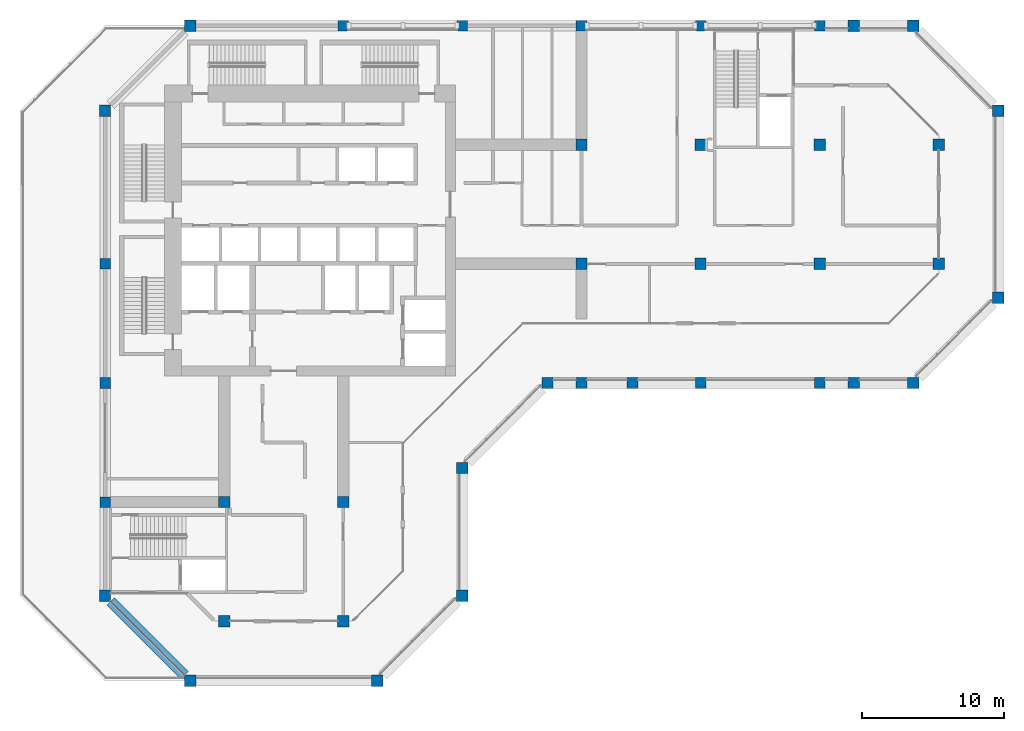
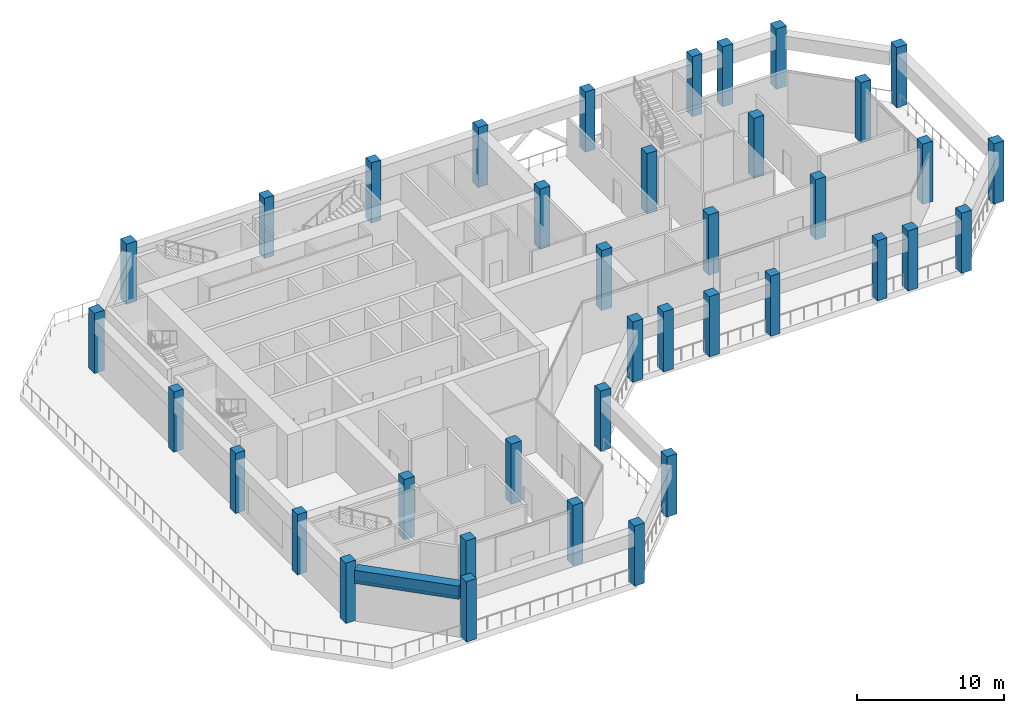
# One storey, part 1 of 16: 38 columns, 1 beam, 1 member, 1 element without a shape of its own.
"""IFC4 building model written with IfcOpenShell, lengths in metres."""

from ifc_helpers import new_model, si_unit, direction, frame, origin, origin_2d, place, context, subcontext, project, spatial, rectangle, extrude, material, layer, layer_set, material_profile, profile_set, type_object, element, aggregate, save


model = new_model("IFC4")

# Units and contexts
model_context = context("Model", 3, precision=1e-05, world=origin(), true_north=direction((0.0, 1.0)))
body_context = subcontext(model_context, "Body", "Model", "MODEL_VIEW")
ifc_project = project(units=[si_unit("LENGTHUNIT", "METRE"), si_unit("AREAUNIT", "SQUARE_METRE"), si_unit("VOLUMEUNIT", "CUBIC_METRE"), si_unit("PLANEANGLEUNIT", "RADIAN"), si_unit("MASSUNIT", "GRAM", prefix="KILO")], contexts=[model_context])

# Site, building, storey
site_placement = place(None, origin())
site = spatial("IfcSite", under=ifc_project, at=site_placement, CompositionType="ELEMENT")
building_placement = place(site_placement, origin())
building = spatial("IfcBuilding", under=site, at=building_placement, Name="Kawkab Arch Medical Tower", CompositionType="ELEMENT")
storey_placement = place(building_placement, frame((0.0, 0.0, 272.60009765625)))
storey = spatial("IfcBuildingStorey", under=building, at=storey_placement, Name="L63", CompositionType="ELEMENT", Elevation=272.60009765625)

# Columns
ifc_material_1 = material(Name="Concrete C40/50", Category="concrete")
ifc_material_profile_1 = material_profile(ifc_material_1, rectangle(XDim=0.75, YDim=0.75, at=origin_2d()), Name="RC 750x750")
ifc_profile_set_1 = profile_set([ifc_material_profile_1], Name="Concrete C40/50")
column_type_1 = type_object("IfcColumnType", Name="RC 750x750 column C40/50", PredefinedType="COLUMN", material=ifc_profile_set_1)
for number, where, z_axis, x_axis, name in (
    (1, (16.800048828125, 0.0, 0.0), (0.0, 0.0, 1.0), (1.0, 0.0, 0.0), "Column RC 750x750"),
    (2, (25.199951171875, 0.0, 0.0), (0.0, 0.0, 1.0), (1.0, 0.0, 0.0), "Column RC 750x750"),
    (3, (33.60009765625, 0.0, 0.0), (0.0, 0.0, 1.0), (1.0, 0.0, 0.0), "Column RC 750x750"),
    (4, (42.0, 0.0, 0.0), (0.0, 0.0, 1.0), (1.0, 0.0, 0.0), "Column RC 750x750"),
    (5, (50.39990234375, 0.0, 0.0), (0.0, 0.0, 1.0), (1.0, 0.0, 0.0), "Column RC 750x750"),
    (6, (0.0, -16.800048828125, 0.0), (0.0, 0.0, 1.0), (1.0, 0.0, 0.0), "Column RC 750x750"),
    (7, (0.0, -25.199951171875, 0.0), (0.0, 0.0, 1.0), (1.0, 0.0, 0.0), "Column RC 750x750"),
    (8, (42.0, -25.199951171875, 0.0), (0.0, 0.0, 1.0), (1.0, 0.0, 0.0), "Column RC 750x750"),
    (9, (50.39990234375, -25.199951171875, 0.0), (0.0, 0.0, 1.0), (1.0, 0.0, 0.0), "Column RC 750x750"),
    (10, (0.0, -33.60009765625, 0.0), (0.0, 0.0, 1.0), (1.0, 0.0, 0.0), "Column RC 750x750"),
):
    element("IfcColumn", number, at=place(storey_placement, frame(where, z_axis=z_axis, x_axis=x_axis)), inside=storey, type_object=column_type_1, Name=name, PredefinedType="COLUMN", context=body_context, shape_type="SweptSolid", body=[
        extrude(rectangle(XDim=0.75, YDim=0.75, at=origin_2d()), origin(), (0.0, 0.0, 1.0), 5.0),
    ])
ifc_material_2 = material(Name="Concrete C40/50", Category="concrete")
ifc_material_profile_2 = material_profile(ifc_material_2, rectangle(XDim=0.800048828125, YDim=0.800048828125, at=origin_2d()), Name="RC 800x800")
ifc_profile_set_2 = profile_set([ifc_material_profile_2], Name="Concrete C40/50")
column_type_2 = type_object("IfcColumnType", Name="RC 800x800 column C40/50", PredefinedType="COLUMN", material=ifc_profile_set_2)
for number, where, z_axis, x_axis, name in (
    (11, (6.0, 0.0, 0.0), (0.0, 0.0, 1.0), (1.0, 0.0, 0.0), "Column RC 800x800"),
    (12, (57.0, 0.0, 0.0), (0.0, 0.0, 1.0), (1.0, 0.0, 0.0), "Column RC 800x800"),
    (13, (0.0, -6.0, 0.0), (0.0, 0.0, 1.0), (1.0, 0.0, 0.0), "Column RC 800x800"),
    (14, (63.0, -6.0, 0.0), (0.0, 0.0, 1.0), (1.0, 0.0, 0.0), "Column RC 800x800"),
    (15, (33.60009765625, -8.39990234375, 0.0), (0.0, 0.0, 1.0), (1.0, 0.0, 0.0), "Column RC 800x800"),
    (16, (42.0, -8.39990234375, 0.0), (0.0, 0.0, 1.0), (1.0, 0.0, 0.0), "Column RC 800x800"),
    (17, (50.39990234375, -8.39990234375, 0.0), (0.0, 0.0, 1.0), (1.0, 0.0, 0.0), "Column RC 800x800"),
    (18, (58.800048828125, -8.39990234375, 0.0), (0.0, 0.0, 1.0), (1.0, 0.0, 0.0), "Column RC 800x800"),
    (19, (33.60009765625, -16.800048828125, 0.0), (0.0, 0.0, 1.0), (1.0, 0.0, 0.0), "Column RC 800x800"),
    (20, (42.0, -16.800048828125, 0.0), (0.0, 0.0, 1.0), (1.0, 0.0, 0.0), "Column RC 800x800"),
    (21, (50.39990234375, -16.800048828125, 0.0), (0.0, 0.0, 1.0), (1.0, 0.0, 0.0), "Column RC 800x800"),
    (22, (58.800048828125, -16.800048828125, 0.0), (0.0, 0.0, 1.0), (1.0, 0.0, 0.0), "Column RC 800x800"),
    (23, (63.0, -19.199951171875, 0.0), (0.0, 0.0, 1.0), (1.0, 0.0, 0.0), "Column RC 800x800"),
    (24, (31.199951171875, -25.199951171875, 0.0), (0.0, 0.0, 1.0), (1.0, 0.0, 0.0), "Column RC 800x800"),
    (25, (57.0, -25.199951171875, 0.0), (0.0, 0.0, 1.0), (1.0, 0.0, 0.0), "Column RC 800x800"),
    (26, (25.199951171875, -31.199951171875, 0.0), (0.0, 0.0, 1.0), (1.0, 0.0, 0.0), "Column RC 800x800"),
    (27, (8.39990234375, -33.60009765625, 0.0), (0.0, 0.0, 1.0), (1.0, 0.0, 0.0), "Column RC 800x800"),
    (28, (16.800048828125, -33.60009765625, 0.0), (0.0, 0.0, 1.0), (1.0, 0.0, 0.0), "Column RC 800x800"),
    (29, (0.0, -40.199951171875, 0.0), (0.0, 0.0, 1.0), (1.0, 0.0, 0.0), "Column RC 800x800"),
    (30, (25.199951171875, -40.199951171875, 0.0), (0.0, 0.0, 1.0), (1.0, 0.0, 0.0), "Column RC 800x800"),
    (31, (8.39990234375, -42.0, 0.0), (0.0, 0.0, 1.0), (1.0, 0.0, 0.0), "Column RC 800x800"),
    (32, (16.800048828125, -42.0, 0.0), (0.0, 0.0, 1.0), (1.0, 0.0, 0.0), "Column RC 800x800"),
    (33, (6.0, -46.199951171875, 0.0), (0.0, 0.0, 1.0), (1.0, 0.0, 0.0), "Column RC 800x800"),
    (34, (19.199951171875, -46.199951171875, 0.0), (0.0, 0.0, 1.0), (1.0, 0.0, 0.0), "Column RC 800x800"),
    (35, (52.800048828125, 0.0, 0.0), (0.0, 0.0, 1.0), (1.0, 0.0, 0.0), "Column RC 800x800"),
    (36, (52.800048828125, -25.199951171875, 0.0), (0.0, 0.0, 1.0), (1.0, 0.0, 0.0), "Column RC 800x800"),
    (37, (37.199951171875, -25.199951171875, 0.0), (0.0, 0.0, 1.0), (1.0, 0.0, 0.0), "Column RC 800x800"),
    (38, (33.60009765625, -25.199951171875, 0.0), (0.0, 0.0, 1.0), (1.0, 0.0, 0.0), "Column RC 800x800"),
):
    element("IfcColumn", number, at=place(storey_placement, frame(where, z_axis=z_axis, x_axis=x_axis)), inside=storey, type_object=column_type_2, Name=name, PredefinedType="COLUMN", context=body_context, shape_type="SweptSolid", body=[
        extrude(rectangle(XDim=0.800048828125, YDim=0.800048828125, at=origin_2d()), origin(), (0.0, 0.0, 1.0), 5.0),
    ])

# Curtain wall, member
ifc_material_3 = material(Name="Bronze anodised aluminium curtain wall frame", Category="aluminium")
ifc_layer = layer(ifc_material_3, 0.159912109375)
ifc_layer_set = layer_set([ifc_layer], Name="Bronze anodised aluminium curtain wall frame")
curtain_wall_type = type_object("IfcCurtainWallType", Name="CW4 refuge floor fire-protected glazing", PredefinedType="NOTDEFINED", material=ifc_layer_set)
curtain_wall_placement = place(storey_placement, origin())
curtain_wall = element("IfcCurtainWall", 39, at=curtain_wall_placement, inside=storey, type_object=curtain_wall_type, Name="CW4 Refuge floor fire-protected glazing R04", PredefinedType="NOTDEFINED")
ifc_material_4 = material(Name="Bronze anodised aluminium curtain wall frame", Category="aluminium")
ifc_material_profile_3 = material_profile(ifc_material_4, rectangle(XDim=0.080078125, YDim=0.159912109375, at=origin_2d()), Name="AL 80x160")
ifc_profile_set_3 = profile_set([ifc_material_profile_3], Name="Bronze anodised aluminium curtain wall frame")
member_type = type_object("IfcMemberType", Name="CW4 transom 160 x 80", PredefinedType="USERDEFINED", material=ifc_profile_set_3)
member_placement = place(storey_placement, frame((5.60009765625, -45.800048828125, 3.219970703125), z_axis=(-0.707123380132, 0.707090181851, 0.0), x_axis=(-0.707090181851, -0.707123380132, 0.0)))
member = element("IfcMember", 40, at=member_placement, type_object=member_type, Name="CW4 transom 1", ObjectType="TRANSOM", PredefinedType="USERDEFINED", context=body_context, shape_type="SweptSolid", body=[
    extrude(rectangle(XDim=0.080078125, YDim=0.159912109375, at=origin_2d()), origin(), (0.0, 0.0, 1.0), 7.35400390625),
])
aggregate(curtain_wall, [member])

# Beam
ifc_material_5 = material(Name="Concrete C40/50", Category="concrete")
ifc_material_profile_4 = material_profile(ifc_material_5, rectangle(XDim=0.75, YDim=1.10009765625, at=origin_2d()), Name="RC 750x1100")
ifc_profile_set_4 = profile_set([ifc_material_profile_4], Name="Concrete C40/50")
beam_type = type_object("IfcBeamType", Name="RC 750x1100 beam C40/50", PredefinedType="SPANDREL", material=ifc_profile_set_4)
beam_placement = place(storey_placement, frame((5.60009765625, -45.800048828125, 3.849853515625), z_axis=(-0.707123380132, 0.707090181851, 0.0), x_axis=(-0.707090181851, -0.707123380132, 0.0)))
element("IfcBeam", 41, at=beam_placement, inside=storey, type_object=beam_type, Name="Belt beam L63-22", PredefinedType="SPANDREL", context=body_context, shape_type="SweptSolid", body=[
    extrude(rectangle(XDim=0.75, YDim=1.10009765625, at=origin_2d()), origin(), (0.0, 0.0, 1.0), 7.35400390625),
])

save(model, "model.ifc")
